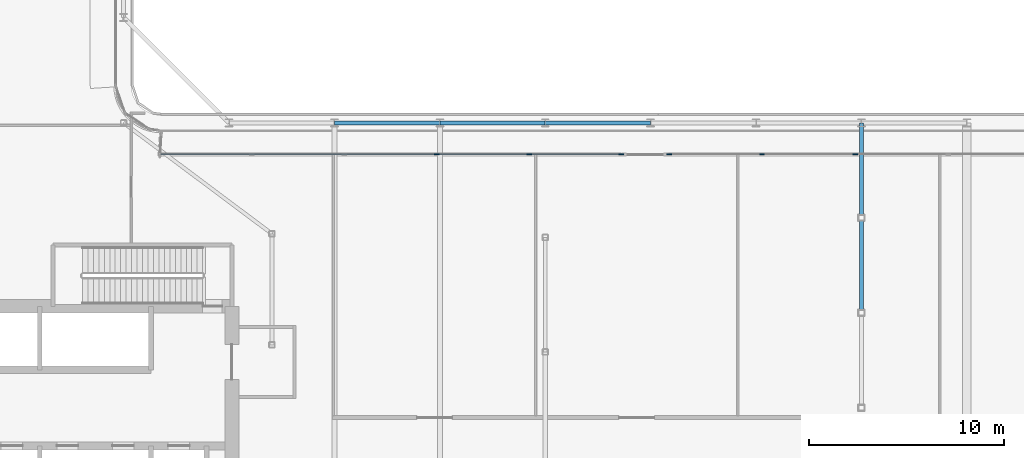
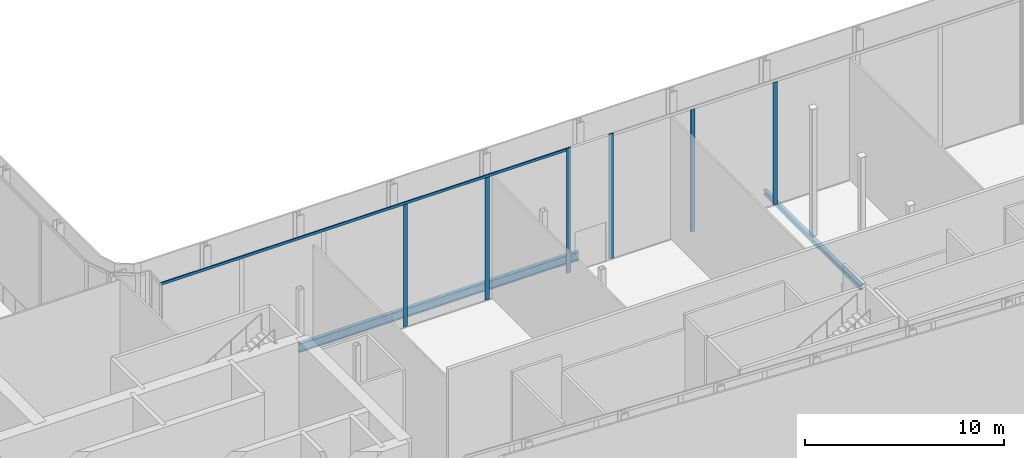
# One storey, part 10 of 38: 7 members, 5 beams, 2 elements without a shape of their own.
"""IFC4 building model written with IfcOpenShell, lengths in metres."""

from ifc_helpers import new_model, si_unit, direction, frame, origin, origin_2d, place, context, subcontext, project, spatial, rectangle, i_section, extrude, material, layer, layer_set, material_profile, profile_set, type_object, element, aggregate, save


model = new_model("IFC4")

# Units and contexts
model_context = context("Model", 3, precision=1e-05, world=origin(), true_north=direction((0.0, 1.0)))
body_context = subcontext(model_context, "Body", "Model", "MODEL_VIEW")
ifc_project = project(units=[si_unit("LENGTHUNIT", "METRE"), si_unit("AREAUNIT", "SQUARE_METRE"), si_unit("VOLUMEUNIT", "CUBIC_METRE"), si_unit("PLANEANGLEUNIT", "RADIAN"), si_unit("MASSUNIT", "GRAM", prefix="KILO")], contexts=[model_context])

# Site, building, storey
site_placement = place(None, origin())
site = spatial("IfcSite", under=ifc_project, at=site_placement, CompositionType="ELEMENT")
building_placement = place(site_placement, origin())
building = spatial("IfcBuilding", under=site, at=building_placement, Name="Kheshtan School and Residences Tower", CompositionType="ELEMENT")
storey_placement = place(building_placement, frame((0.0, 0.0, 203.300048828125)))
storey = spatial("IfcBuildingStorey", under=building, at=storey_placement, Name="L48", CompositionType="ELEMENT", Elevation=203.300048828125)

# Beams
ifc_material_1 = material(Name="Steel ASTM A992 Grade 50", Category="steel")
ifc_material_profile_1 = material_profile(ifc_material_1, i_section(OverallWidth=0.202880859375, OverallDepth=0.302978515625, WebThickness=0.007568359375, FlangeThickness=0.01318359375, FilletRadius=0.009033203125, at=origin_2d()), Name="W310x60")
ifc_profile_set_1 = profile_set([ifc_material_profile_1], Name="Steel ASTM A992 Grade 50")
beam_type_1 = type_object("IfcBeamType", Name="Beam FB1 W310x60 ASTM A992 Grade 50", PredefinedType="BEAM", material=ifc_profile_set_1)
for number, where, z_axis, x_axis, name in (
    (1, (85.39990234375, 45.60009765625, -0.301513671875), (0.0, -1.0, 0.0), (1.0, 0.0, 0.0), "Floor beam C067"),
    (2, (85.39990234375, 40.735107421875, -0.301513671875), (0.0, -1.0, 0.0), (1.0, 0.0, 0.0), "Floor beam IC"),
):
    element("IfcBeam", number, at=place(storey_placement, frame(where, z_axis=z_axis, x_axis=x_axis)), inside=storey, type_object=beam_type_1, Name=name, PredefinedType="BEAM", context=body_context, shape_type="SweptSolid", body=[
        extrude(i_section(OverallWidth=0.202880859375, OverallDepth=0.302978515625, WebThickness=0.007568359375, FlangeThickness=0.01318359375, FilletRadius=0.009033203125, at=origin_2d()), origin(), (0.0, 0.0, 1.0), 4.864990234375),
    ])
ifc_material_profile_2 = material_profile(ifc_material_1, i_section(OverallWidth=0.208984375, OverallDepth=0.532958984375, WebThickness=0.01025390625, FlangeThickness=0.015625, FilletRadius=0.013916015625, at=origin_2d()), Name="W530x92")
ifc_profile_set_2 = profile_set([ifc_material_profile_2], Name="Steel ASTM A992 Grade 50")
beam_type_2 = type_object("IfcBeamType", Name="Beam SP3 W530x92 ASTM A992 Grade 50", PredefinedType="BEAM", material=ifc_profile_set_2)
beam_1_placement = place(storey_placement, frame((58.39990234375, 45.60009765625, -0.41650390625), z_axis=(1.0, 0.0, 0.0), x_axis=(0.0, 1.0, 0.0)))
element("IfcBeam", 3, at=beam_1_placement, inside=storey, type_object=beam_type_2, Name="Spandrel beam C062-C063", PredefinedType="BEAM", context=body_context, shape_type="SweptSolid", body=[
    extrude(i_section(OverallWidth=0.208984375, OverallDepth=0.532958984375, WebThickness=0.01025390625, FlangeThickness=0.015625, FilletRadius=0.013916015625, at=origin_2d()), origin(), (0.0, 0.0, 1.0), 5.400146484375),
])
beam_2_placement = place(storey_placement, frame((63.800048828125, 45.60009765625, -0.41650390625), z_axis=(1.0, 0.0, 0.0), x_axis=(0.0, 1.0, 0.0)))
element("IfcBeam", 4, at=beam_2_placement, inside=storey, type_object=beam_type_2, Name="Spandrel beam C063-C064", PredefinedType="BEAM", context=body_context, shape_type="SweptSolid", body=[
    extrude(i_section(OverallWidth=0.208984375, OverallDepth=0.532958984375, WebThickness=0.01025390625, FlangeThickness=0.015625, FilletRadius=0.013916015625, at=origin_2d()), origin(), (0.0, 0.0, 1.0), 5.39990234375),
])
beam_3_placement = place(storey_placement, frame((69.199951171875, 45.60009765625, -0.41650390625), z_axis=(1.0, 0.0, 0.0), x_axis=(0.0, 1.0, 0.0)))
element("IfcBeam", 5, at=beam_3_placement, inside=storey, type_object=beam_type_2, Name="Spandrel beam C064-C065", PredefinedType="BEAM", context=body_context, shape_type="SweptSolid", body=[
    extrude(i_section(OverallWidth=0.208984375, OverallDepth=0.532958984375, WebThickness=0.01025390625, FlangeThickness=0.015625, FilletRadius=0.013916015625, at=origin_2d()), origin(), (0.0, 0.0, 1.0), 5.400146484375),
])

# Curtain wall, members
ifc_material_2 = material(Name="Clear low-e glass in thermally broken aluminium frame", Category="aluminium")
ifc_layer = layer(ifc_material_2, 0.25)
ifc_layer_set = layer_set([ifc_layer], Name="Curtain wall CW-G")
curtain_wall_type = type_object("IfcCurtainWallType", Name="Curtain wall CW-G", PredefinedType="NOTDEFINED", material=ifc_layer_set)
curtain_wall_1_placement = place(storey_placement, origin())
curtain_wall_1 = element("IfcCurtainWall", 6, at=curtain_wall_1_placement, inside=storey, type_object=curtain_wall_type, Name="Curtain wall CWG5", PredefinedType="NOTDEFINED")
ifc_material_3 = material(Name="Thermally broken aluminium, dark bronze anodised", Category="aluminium")
ifc_material_profile_3 = material_profile(ifc_material_3, rectangle(XDim=0.06005859375, YDim=0.25, at=origin_2d()), Name="CW-G mullion 60x250")
ifc_profile_set_3 = profile_set([ifc_material_profile_3], Name="Thermally broken aluminium, dark bronze anodised")
member_type_1 = type_object("IfcMemberType", Name="CW-G mullion 60x250", PredefinedType="MULLION", material=ifc_profile_set_3)
member_1_placement = place(storey_placement, frame((63.64990234375, 44.0, 0.0), z_axis=(0.0, 0.0, 1.0), x_axis=(0.0, 1.0, 0.0)))
member_1 = element("IfcMember", 7, at=member_1_placement, type_object=member_type_1, Name="CWG5 mullion 4", PredefinedType="MULLION", context=body_context, shape_type="SweptSolid", body=[
    extrude(rectangle(XDim=0.06005859375, YDim=0.25, at=origin_2d()), origin(), (0.0, 0.0, 1.0), 7.489990234375),
])
member_2_placement = place(storey_placement, frame((68.389892578125, 44.0, 0.0), z_axis=(0.0, 0.0, 1.0), x_axis=(0.0, 1.0, 0.0)))
member_2 = element("IfcMember", 8, at=member_2_placement, type_object=member_type_1, Name="CWG5 mullion 5", PredefinedType="MULLION", context=body_context, shape_type="SweptSolid", body=[
    extrude(rectangle(XDim=0.06005859375, YDim=0.25, at=origin_2d()), origin(), (0.0, 0.0, 1.0), 7.489990234375),
])
member_3_placement = place(storey_placement, frame((73.10009765625, 44.0, 0.0), z_axis=(0.0, 0.0, 1.0), x_axis=(0.0, 1.0, 0.0)))
member_3 = element("IfcMember", 9, at=member_3_placement, type_object=member_type_1, Name="CWG5 mullion 6", PredefinedType="MULLION", context=body_context, shape_type="SweptSolid", body=[
    extrude(rectangle(XDim=0.06005859375, YDim=0.25, at=origin_2d()), origin(), (0.0, 0.0, 1.0), 7.64990234375),
])

curtain_wall_2_placement = place(storey_placement, origin())
curtain_wall_2 = element("IfcCurtainWall", 10, at=curtain_wall_2_placement, inside=storey, type_object=curtain_wall_type, Name="Curtain wall CWG5a", PredefinedType="NOTDEFINED")
member_4_placement = place(storey_placement, frame((75.56005859375, 44.0, 0.0), z_axis=(0.0, 0.0, 1.0), x_axis=(0.0, 1.0, 0.0)))
member_4 = element("IfcMember", 11, at=member_4_placement, type_object=member_type_1, Name="CWG5a mullion 1", PredefinedType="MULLION", context=body_context, shape_type="SweptSolid", body=[
    extrude(rectangle(XDim=0.06005859375, YDim=0.25, at=origin_2d()), origin(), (0.0, 0.0, 1.0), 7.64990234375),
])
member_5_placement = place(storey_placement, frame((80.303955078125, 44.0, 0.0), z_axis=(0.0, 0.0, 1.0), x_axis=(0.0, 1.0, 0.0)))
member_5 = element("IfcMember", 12, at=member_5_placement, type_object=member_type_1, Name="CWG5a mullion 2", PredefinedType="MULLION", context=body_context, shape_type="SweptSolid", body=[
    extrude(rectangle(XDim=0.06005859375, YDim=0.25, at=origin_2d()), origin(), (0.0, 0.0, 1.0), 7.489990234375),
])
member_6_placement = place(storey_placement, frame((85.077880859375, 44.0, 0.0), z_axis=(0.0, 0.0, 1.0), x_axis=(0.0, 1.0, 0.0)))
member_6 = element("IfcMember", 13, at=member_6_placement, type_object=member_type_1, Name="CWG5a mullion 3", PredefinedType="MULLION", context=body_context, shape_type="SweptSolid", body=[
    extrude(rectangle(XDim=0.06005859375, YDim=0.25, at=origin_2d()), origin(), (0.0, 0.0, 1.0), 7.489990234375),
])
aggregate(curtain_wall_2, [member_4, member_5, member_6])

# Member
ifc_material_profile_4 = material_profile(ifc_material_3, rectangle(XDim=0.06005859375, YDim=0.159912109375, at=origin_2d()), Name="CW-G transom 60x160")
ifc_profile_set_4 = profile_set([ifc_material_profile_4], Name="Thermally broken aluminium, dark bronze anodised")
member_type_2 = type_object("IfcMemberType", Name="CW-G transom 60x160", PredefinedType="USERDEFINED", material=ifc_profile_set_4)
member_7_placement = place(storey_placement, frame((49.49267578125, 44.0, 7.570068359375), z_axis=(1.0, 0.0, 0.0), x_axis=(0.0, 1.0, 0.0)))
member_7 = element("IfcMember", 14, at=member_7_placement, type_object=member_type_2, Name="CWG5 transom 1", ObjectType="TRANSOM", PredefinedType="USERDEFINED", context=body_context, shape_type="SweptSolid", body=[
    extrude(rectangle(XDim=0.06005859375, YDim=0.159912109375, at=origin_2d()), origin(), (0.0, 0.0, 1.0), 23.577392578125),
])

aggregate(curtain_wall_1, [member_1, member_2, member_3, member_7])

save(model, "model.ifc")
